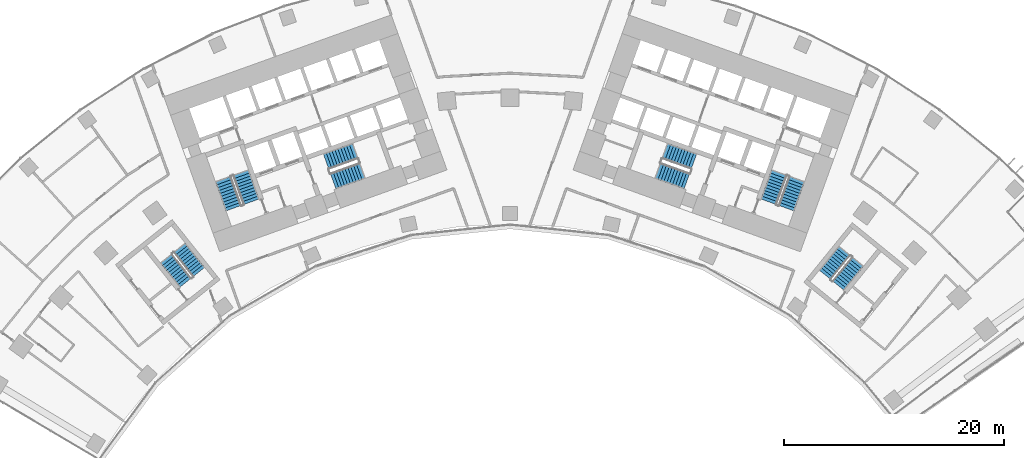
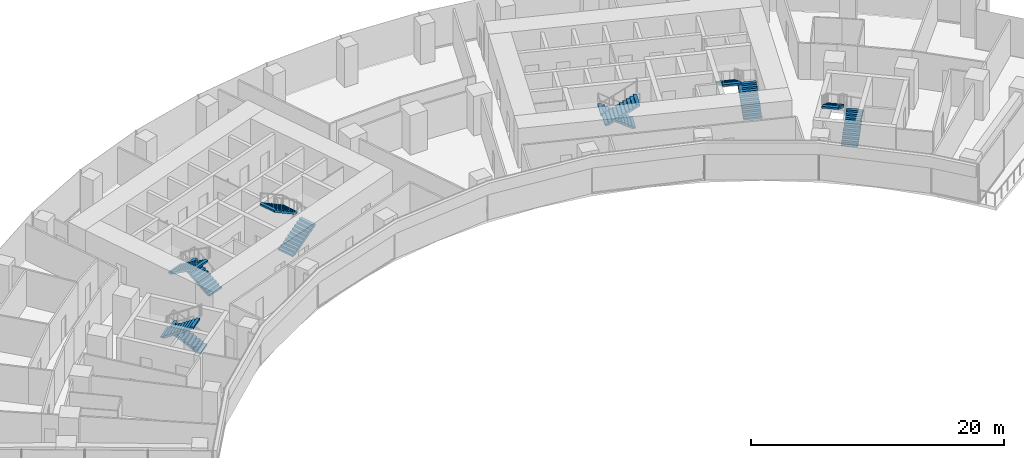
# One storey, part 19 of 21: 12 stair flights, 6 elements without a shape of their own.
"""IFC4 building model written with IfcOpenShell, lengths in metres."""

import ifcopenshell
import ifcopenshell.guid

model = None  # the IFC model being written
_history = None  # IfcOwnerHistory: only IFC2X3 demands one
_inside = {}  # id of a spatial element -> (the spatial element, [elements in it])
_under = {}  # id of a project, library or spatial element -> (it, [spatial elements below it])
_declared = {}  # id of a project -> (the project, [libraries it declares])
_typed = {}  # id of a type object -> (the type object, [elements of that type])
_made_of = {}  # id of a material, layer set ... -> (it, [elements and type objects made of it])


def new_model(schema):
    """Start an empty IFC model of exactly this schema.

    Asked for "IFC4X3", IfcOpenShell would pick the latest addendum, in which some entities
    have other attributes; the version numbers below select the first issue.
    IFC2X3 requires an IfcOwnerHistory on every rooted entity: one is made here for all.
    """
    global model, _history
    if schema == "IFC4X3":
        model = ifcopenshell.file(schema_version=(4, 3, 0, 0))
    else:
        model = ifcopenshell.file(schema=schema)
    _inside.clear()
    _under.clear()
    _declared.clear()
    _typed.clear()
    _made_of.clear()
    _history = None
    if model.schema == "IFC2X3":
        org = make("IfcOrganization", Name="unknown")
        user = make(
            "IfcPersonAndOrganization",
            ThePerson=make("IfcPerson", FamilyName="unknown"),
            TheOrganization=org,
        )
        app = make(
            "IfcApplication",
            ApplicationDeveloper=org,
            Version="unknown",
            ApplicationFullName="unknown",
            ApplicationIdentifier="unknown",
        )
        _history = make(
            "IfcOwnerHistory",
            OwningUser=user,
            OwningApplication=app,
            ChangeAction="ADDED",
            CreationDate=0,
        )
    return model


def make(cls, **values):
    """One entity of the class cls with the attributes given. An attribute that is None is left unset."""
    return model.create_entity(
        cls, **{name: value for name, value in values.items() if value is not None}
    )


def rooted(cls, **values):
    """An entity with a GlobalId (a new one), such as an element, a storey or a relation."""
    return make(cls, GlobalId=ifcopenshell.guid.new(), OwnerHistory=_history, **values)


def si_unit(unit_type, name, prefix=None):
    """IfcSIUnit, for example si_unit("LENGTHUNIT", "METRE", prefix="MILLI")."""
    return make("IfcSIUnit", UnitType=unit_type, Prefix=prefix, Name=name)


def assignment(units):
    """IfcUnitAssignment: the units of a project."""
    return None if units is None else make("IfcUnitAssignment", Units=units)


def point(xyz):
    """IfcCartesianPoint."""
    return None if xyz is None else make("IfcCartesianPoint", Coordinates=xyz)


def direction(xyz):
    """IfcDirection."""
    return None if xyz is None else make("IfcDirection", DirectionRatios=xyz)


def frame(location, z_axis=None, x_axis=None):
    """IfcAxis2Placement3D, a coordinate frame: its origin and axes. An axis left out is left unset."""
    return make(
        "IfcAxis2Placement3D",
        Location=point(location),
        Axis=direction(z_axis),
        RefDirection=direction(x_axis),
    )


def origin():
    """The frame at (0, 0, 0) with its axes left unset."""
    return frame((0.0, 0.0, 0.0))


def place(relative_to, where):
    """IfcLocalPlacement: puts the frame where relative to a parent placement (None: the world)."""
    return make(
        "IfcLocalPlacement", PlacementRelTo=relative_to, RelativePlacement=where
    )


def context(
    kind, dimensions, precision=None, world=None, true_north=None, identifier=None
):
    """IfcGeometricRepresentationContext, for example the 3D "Model" context."""
    return make(
        "IfcGeometricRepresentationContext",
        ContextIdentifier=identifier,
        ContextType=kind,
        CoordinateSpaceDimension=dimensions,
        Precision=precision,
        WorldCoordinateSystem=world,
        TrueNorth=true_north,
    )


def subcontext(parent, identifier, kind, view, scale=None):
    """IfcGeometricRepresentationSubContext, for example "Body" below "Model"."""
    return make(
        "IfcGeometricRepresentationSubContext",
        ContextIdentifier=identifier,
        ContextType=kind,
        ParentContext=parent,
        TargetScale=scale,
        TargetView=view,
    )


def project(units=None, contexts=None):
    """IfcProject with its units and contexts."""
    return rooted(
        "IfcProject",
        Name="project",
        RepresentationContexts=contexts,
        UnitsInContext=assignment(units),
    )


def spatial(cls, under=None, at=None, **own):
    """A site, building, storey or space (cls), placed at a placement, below another one or the project."""
    s = rooted(cls, ObjectPlacement=at, **own)
    if under is not None:
        _under.setdefault(under.id(), (under, []))[1].append(s)
    return s


def polyline(points):
    """IfcPolyline through the points."""
    return make("IfcPolyline", Points=[point(p) for p in points])


def outline(outer, holes=None, kind="AREA"):
    """IfcArbitraryClosedProfileDef: a profile drawn as a closed curve; with holes, ...WithVoids."""
    if holes is None:
        return make("IfcArbitraryClosedProfileDef", ProfileType=kind, OuterCurve=outer)
    return make(
        "IfcArbitraryProfileDefWithVoids",
        ProfileType=kind,
        OuterCurve=outer,
        InnerCurves=holes,
    )


def extrude(swept, where, along, depth):
    """IfcExtrudedAreaSolid: the profile swept, set in the frame where, extruded along a direction by depth."""
    return make(
        "IfcExtrudedAreaSolid",
        SweptArea=swept,
        Position=where,
        ExtrudedDirection=direction(along),
        Depth=depth,
    )


def shape(context_of_items, identifier, shape_type, items):
    """IfcShapeRepresentation: the items that make up one representation, for example the "Body"."""
    return make(
        "IfcShapeRepresentation",
        ContextOfItems=context_of_items,
        RepresentationIdentifier=identifier,
        RepresentationType=shape_type,
        Items=items,
    )


def material(Name=None, Category=None):
    """IfcMaterial."""
    return make("IfcMaterial", Name=Name, Category=Category)


def made_of(thing, what):
    """Note that an element or type object is made of a material, layer set ...; save() writes the relation."""
    if what is not None:
        _made_of.setdefault(what.id(), (what, []))[1].append(thing)
    return thing


def type_object(cls, material=None, **own):
    """A type object (cls), such as IfcWallType, which elements share."""
    return made_of(rooted(cls, **own), material)


def element(
    cls,
    number,
    at=None,
    inside=None,
    cuts=None,
    type_object=None,
    material=None,
    context=None,
    identifier="Body",
    shape_type=None,
    held_by="IfcProductDefinitionShape",
    body=None,
    shapes=None,
    **own,
):
    """One element of the class cls, such as IfcWall. Its Tag is "e" and its number.

    at: its placement. inside: the storey or other place that contains it. cuts: it is an
    opening in that element (IfcRelVoidsElement). A single representation is given by context,
    identifier, shape_type and body (its items); several are given by shapes. held_by: the class
    of the entity that holds the representations. save() writes the other relations.
    """
    e = rooted(cls, Tag="e%d" % number, ObjectPlacement=at, **own)
    if body is not None:
        shapes = [shape(context, identifier, shape_type, body)]
    if shapes is not None:
        e.Representation = make(held_by, Representations=shapes)
    if inside is not None:
        _inside.setdefault(inside.id(), (inside, []))[1].append(e)
    if cuts is not None:
        rooted(
            "IfcRelVoidsElement", RelatingBuildingElement=cuts, RelatedOpeningElement=e
        )
    if type_object is not None:
        _typed.setdefault(type_object.id(), (type_object, []))[1].append(e)
    return made_of(e, material)


def aggregate(whole, parts):
    """IfcRelAggregates: a whole, such as a stair, and the parts it consists of."""
    return rooted("IfcRelAggregates", RelatingObject=whole, RelatedObjects=parts)


def save(model, path):
    """Write the relations noted so far, then the file.

    IfcRelAggregates (storeys below a building ...), IfcRelContainedInSpatialStructure (elements
    in a storey), IfcRelDefinesByType, IfcRelAssociatesMaterial and IfcRelDeclares: one each for
    every whole, place, type object, material and project.
    """
    for whole, parts in _under.values():
        aggregate(whole, parts)
    for where, things in _inside.values():
        rooted(
            "IfcRelContainedInSpatialStructure",
            RelatedElements=things,
            RelatingStructure=where,
        )
    for kind, things in _typed.values():
        rooted("IfcRelDefinesByType", RelatedObjects=things, RelatingType=kind)
    for what, things in _made_of.values():
        rooted("IfcRelAssociatesMaterial", RelatedObjects=things, RelatingMaterial=what)
    for by, libraries in _declared.values():
        rooted("IfcRelDeclares", RelatingContext=by, RelatedDefinitions=libraries)
    model.write(path)


model = new_model("IFC4")

# Units and contexts
model_context = context("Model", 3, precision=1e-05, world=origin(), true_north=direction((0.0, 1.0)))
body_context = subcontext(model_context, "Body", "Model", "MODEL_VIEW")
ifc_project = project(units=[si_unit("LENGTHUNIT", "METRE"), si_unit("AREAUNIT", "SQUARE_METRE"), si_unit("VOLUMEUNIT", "CUBIC_METRE"), si_unit("PLANEANGLEUNIT", "RADIAN"), si_unit("MASSUNIT", "GRAM", prefix="KILO")], contexts=[model_context])

# Site, building, storey
site_placement = place(None, origin())
site = spatial("IfcSite", under=ifc_project, at=site_placement, CompositionType="ELEMENT")
building_placement = place(site_placement, origin())
building = spatial("IfcBuilding", under=site, at=building_placement, Name="Stone Belt Terrace Tower", CompositionType="ELEMENT")
storey_placement = place(building_placement, frame((0.0, 0.0, 68.0)))
storey = spatial("IfcBuildingStorey", under=building, at=storey_placement, Name="L16", CompositionType="ELEMENT", Elevation=68.0)

# Stair, stair flights
ifc_material = material(Name="Concrete B40", Category="concrete")
stair_type = type_object("IfcStairType", Name="Exit stair 1500", PredefinedType="HALF_TURN_STAIR", material=ifc_material)
stair_1_placement = place(storey_placement, origin())
stair_1 = element("IfcStair", 1, at=stair_1_placement, inside=storey, type_object=stair_type, Name="L16 Exit stair 1 core A", PredefinedType="HALF_TURN_STAIR")
stair_flight_type = type_object("IfcStairFlightType", Name="Stair flight 1500", PredefinedType="STRAIGHT", material=ifc_material)
stair_flight_1_placement = place(storey_placement, frame((-23.55322265625, 45.51318359375, 0.0), z_axis=(0.0, 0.0, 1.0), x_axis=(-0.338624396177, 0.940921632398, 0.0)))
stair_flight_1 = element("IfcStairFlight", 2, at=stair_flight_1_placement, type_object=stair_flight_type, Name="ST1A flight 1", NumberOfRisers=11, NumberOfTreads=10, PredefinedType="STRAIGHT", RiserHeight=0.172727273, TreadLength=0.28, context=body_context, shape_type="SweptSolid", body=[
    extrude(outline(polyline([(0.0, 0.0), (0.0, 0.172607421875), (0.280029296875, 0.172607421875), (0.280029296875, 0.345458984375), (0.56005859375, 0.345458984375), (0.56005859375, 0.51806640625), (0.840087890625, 0.51806640625), (0.840087890625, 0.69091796875), (1.1201171875, 0.69091796875), (1.1201171875, 0.863525390625), (1.39990234375, 0.863525390625), (1.39990234375, 1.036376953125), (1.679931640625, 1.036376953125), (1.679931640625, 1.208984375), (1.9599609375, 1.208984375), (1.9599609375, 1.3818359375), (2.239990234375, 1.3818359375), (2.239990234375, 1.554443359375), (2.52001953125, 1.554443359375), (2.52001953125, 1.727294921875), (2.800048828125, 1.727294921875), (2.800048828125, 1.89990234375), (2.800048828125, 1.551025390625), (0.285400390625, 0.0), (0.0, 0.0)])), frame((0.0, 0.75, 0.0), z_axis=(0.0, -1.0, 0.0), x_axis=(1.0, 0.0, 0.0)), (0.0, 0.0, 1.0), 1.5),
])
stair_flight_2_placement = place(storey_placement, frame((-26.10107421875, 47.572021484375, 1.89990234375), z_axis=(0.0, 0.0, 1.0), x_axis=(0.338624396177, -0.940921632398, 0.0)))
stair_flight_2 = element("IfcStairFlight", 3, at=stair_flight_2_placement, type_object=stair_flight_type, Name="ST1A flight 2", NumberOfRisers=11, NumberOfTreads=10, PredefinedType="STRAIGHT", RiserHeight=0.172727273, TreadLength=0.28, context=body_context, shape_type="SweptSolid", body=[
    extrude(outline(polyline([(0.0, 0.0), (0.0, 0.172607421875), (0.280029296875, 0.172607421875), (0.280029296875, 0.345458984375), (0.56005859375, 0.345458984375), (0.56005859375, 0.51806640625), (0.840087890625, 0.51806640625), (0.840087890625, 0.69091796875), (1.1201171875, 0.69091796875), (1.1201171875, 0.863525390625), (1.39990234375, 0.863525390625), (1.39990234375, 1.036376953125), (1.679931640625, 1.036376953125), (1.679931640625, 1.208984375), (1.9599609375, 1.208984375), (1.9599609375, 1.3818359375), (2.239990234375, 1.3818359375), (2.239990234375, 1.554443359375), (2.52001953125, 1.554443359375), (2.52001953125, 1.727294921875), (2.800048828125, 1.727294921875), (2.800048828125, 1.89990234375), (2.800048828125, 1.551025390625), (0.285400390625, 0.0), (0.0, 0.0)])), frame((0.0, 0.75, 0.0), z_axis=(0.0, -1.0, 0.0), x_axis=(1.0, 0.0, 0.0)), (0.0, 0.0, 1.0), 1.5),
])
aggregate(stair_1, [stair_flight_1, stair_flight_2])

stair_2_placement = place(storey_placement, origin())
stair_2 = element("IfcStair", 4, at=stair_2_placement, inside=storey, type_object=stair_type, Name="L16 Exit stair 2 core A", PredefinedType="HALF_TURN_STAIR")
stair_flight_3_placement = place(storey_placement, frame((-16.101318359375, 47.39794921875, 0.0), z_axis=(0.0, 0.0, 1.0), x_axis=(0.940921632398, 0.338624396177, 0.0)))
stair_flight_3 = element("IfcStairFlight", 5, at=stair_flight_3_placement, type_object=stair_flight_type, Name="ST2A flight 1", NumberOfRisers=11, NumberOfTreads=10, PredefinedType="STRAIGHT", RiserHeight=0.172727273, TreadLength=0.28, context=body_context, shape_type="SweptSolid", body=[
    extrude(outline(polyline([(0.0, 0.0), (0.0, 0.172607421875), (0.280029296875, 0.172607421875), (0.280029296875, 0.345458984375), (0.56005859375, 0.345458984375), (0.56005859375, 0.51806640625), (0.840087890625, 0.51806640625), (0.840087890625, 0.69091796875), (1.1201171875, 0.69091796875), (1.1201171875, 0.863525390625), (1.39990234375, 0.863525390625), (1.39990234375, 1.036376953125), (1.679931640625, 1.036376953125), (1.679931640625, 1.208984375), (1.9599609375, 1.208984375), (1.9599609375, 1.3818359375), (2.239990234375, 1.3818359375), (2.239990234375, 1.554443359375), (2.52001953125, 1.554443359375), (2.52001953125, 1.727294921875), (2.800048828125, 1.727294921875), (2.800048828125, 1.89990234375), (2.800048828125, 1.551025390625), (0.285400390625, 0.0), (0.0, 0.0)])), frame((0.0, 0.75, 0.0), z_axis=(0.0, -1.0, 0.0), x_axis=(1.0, 0.0, 0.0)), (0.0, 0.0, 1.0), 1.5),
])
stair_flight_4_placement = place(storey_placement, frame((-14.110107421875, 50.1337890625, 1.89990234375), z_axis=(0.0, 0.0, 1.0), x_axis=(-0.940921632398, -0.338624396177, 0.0)))
stair_flight_4 = element("IfcStairFlight", 6, at=stair_flight_4_placement, type_object=stair_flight_type, Name="ST2A flight 2", NumberOfRisers=11, NumberOfTreads=10, PredefinedType="STRAIGHT", RiserHeight=0.172727273, TreadLength=0.28, context=body_context, shape_type="SweptSolid", body=[
    extrude(outline(polyline([(0.0, 0.0), (0.0, 0.172607421875), (0.280029296875, 0.172607421875), (0.280029296875, 0.345458984375), (0.56005859375, 0.345458984375), (0.56005859375, 0.51806640625), (0.840087890625, 0.51806640625), (0.840087890625, 0.69091796875), (1.1201171875, 0.69091796875), (1.1201171875, 0.863525390625), (1.39990234375, 0.863525390625), (1.39990234375, 1.036376953125), (1.679931640625, 1.036376953125), (1.679931640625, 1.208984375), (1.9599609375, 1.208984375), (1.9599609375, 1.3818359375), (2.239990234375, 1.3818359375), (2.239990234375, 1.554443359375), (2.52001953125, 1.554443359375), (2.52001953125, 1.727294921875), (2.800048828125, 1.727294921875), (2.800048828125, 1.89990234375), (2.800048828125, 1.551025390625), (0.285400390625, 0.0), (0.0, 0.0)])), frame((0.0, 0.75, 0.0), z_axis=(0.0, -1.0, 0.0), x_axis=(1.0, 0.0, 0.0)), (0.0, 0.0, 1.0), 1.5),
])
aggregate(stair_2, [stair_flight_3, stair_flight_4])

stair_3_placement = place(storey_placement, origin())
stair_3 = element("IfcStair", 7, at=stair_3_placement, inside=storey, type_object=stair_type, Name="L16 Exit stair 1 core B", PredefinedType="HALF_TURN_STAIR")
stair_flight_5_placement = place(storey_placement, frame((25.15283203125, 44.9375, 0.0), z_axis=(0.0, 0.0, 1.0), x_axis=(0.338624396177, 0.940921632398, 0.0)))
stair_flight_5 = element("IfcStairFlight", 8, at=stair_flight_5_placement, type_object=stair_flight_type, Name="ST1B flight 1", NumberOfRisers=11, NumberOfTreads=10, PredefinedType="STRAIGHT", RiserHeight=0.172727273, TreadLength=0.28, context=body_context, shape_type="SweptSolid", body=[
    extrude(outline(polyline([(0.0, 0.0), (0.0, 0.172607421875), (0.280029296875, 0.172607421875), (0.280029296875, 0.345458984375), (0.56005859375, 0.345458984375), (0.56005859375, 0.51806640625), (0.840087890625, 0.51806640625), (0.840087890625, 0.69091796875), (1.1201171875, 0.69091796875), (1.1201171875, 0.863525390625), (1.39990234375, 0.863525390625), (1.39990234375, 1.036376953125), (1.679931640625, 1.036376953125), (1.679931640625, 1.208984375), (1.9599609375, 1.208984375), (1.9599609375, 1.3818359375), (2.239990234375, 1.3818359375), (2.239990234375, 1.554443359375), (2.52001953125, 1.554443359375), (2.52001953125, 1.727294921875), (2.800048828125, 1.727294921875), (2.800048828125, 1.89990234375), (2.800048828125, 1.551025390625), (0.285400390625, 0.0), (0.0, 0.0)])), frame((0.0, 0.75, 0.0), z_axis=(0.0, -1.0, 0.0), x_axis=(1.0, 0.0, 0.0)), (0.0, 0.0, 1.0), 1.5),
])
stair_flight_6_placement = place(storey_placement, frame((24.50146484375, 48.147705078125, 1.89990234375), z_axis=(0.0, 0.0, 1.0), x_axis=(-0.338624396177, -0.940921632398, 0.0)))
stair_flight_6 = element("IfcStairFlight", 9, at=stair_flight_6_placement, type_object=stair_flight_type, Name="ST1B flight 2", NumberOfRisers=11, NumberOfTreads=10, PredefinedType="STRAIGHT", RiserHeight=0.172727273, TreadLength=0.28, context=body_context, shape_type="SweptSolid", body=[
    extrude(outline(polyline([(0.0, 0.0), (0.0, 0.172607421875), (0.280029296875, 0.172607421875), (0.280029296875, 0.345458984375), (0.56005859375, 0.345458984375), (0.56005859375, 0.51806640625), (0.840087890625, 0.51806640625), (0.840087890625, 0.69091796875), (1.1201171875, 0.69091796875), (1.1201171875, 0.863525390625), (1.39990234375, 0.863525390625), (1.39990234375, 1.036376953125), (1.679931640625, 1.036376953125), (1.679931640625, 1.208984375), (1.9599609375, 1.208984375), (1.9599609375, 1.3818359375), (2.239990234375, 1.3818359375), (2.239990234375, 1.554443359375), (2.52001953125, 1.554443359375), (2.52001953125, 1.727294921875), (2.800048828125, 1.727294921875), (2.800048828125, 1.89990234375), (2.800048828125, 1.551025390625), (0.285400390625, 0.0), (0.0, 0.0)])), frame((0.0, 0.75, 0.0), z_axis=(0.0, -1.0, 0.0), x_axis=(1.0, 0.0, 0.0)), (0.0, 0.0, 1.0), 1.5),
])
aggregate(stair_3, [stair_flight_5, stair_flight_6])

stair_4_placement = place(storey_placement, origin())
stair_4 = element("IfcStair", 10, at=stair_4_placement, inside=storey, type_object=stair_type, Name="L16 Exit stair 2 core B", PredefinedType="HALF_TURN_STAIR")
stair_flight_7_placement = place(storey_placement, frame((16.74462890625, 49.185546875, 0.0), z_axis=(0.0, 0.0, 1.0), x_axis=(-0.940921632398, 0.338624396177, 0.0)))
stair_flight_7 = element("IfcStairFlight", 11, at=stair_flight_7_placement, type_object=stair_flight_type, Name="ST2B flight 1", NumberOfRisers=11, NumberOfTreads=10, PredefinedType="STRAIGHT", RiserHeight=0.172727273, TreadLength=0.28, context=body_context, shape_type="SweptSolid", body=[
    extrude(outline(polyline([(0.0, 0.0), (0.0, 0.172607421875), (0.280029296875, 0.172607421875), (0.280029296875, 0.345458984375), (0.56005859375, 0.345458984375), (0.56005859375, 0.51806640625), (0.840087890625, 0.51806640625), (0.840087890625, 0.69091796875), (1.1201171875, 0.69091796875), (1.1201171875, 0.863525390625), (1.39990234375, 0.863525390625), (1.39990234375, 1.036376953125), (1.679931640625, 1.036376953125), (1.679931640625, 1.208984375), (1.9599609375, 1.208984375), (1.9599609375, 1.3818359375), (2.239990234375, 1.3818359375), (2.239990234375, 1.554443359375), (2.52001953125, 1.554443359375), (2.52001953125, 1.727294921875), (2.800048828125, 1.727294921875), (2.800048828125, 1.89990234375), (2.800048828125, 1.551025390625), (0.285400390625, 0.0), (0.0, 0.0)])), frame((0.0, 0.75, 0.0), z_axis=(0.0, -1.0, 0.0), x_axis=(1.0, 0.0, 0.0)), (0.0, 0.0, 1.0), 1.5),
])
stair_flight_8_placement = place(storey_placement, frame((13.466796875, 48.345947265625, 1.89990234375), z_axis=(0.0, 0.0, 1.0), x_axis=(0.940921632398, -0.338624396177, 0.0)))
stair_flight_8 = element("IfcStairFlight", 12, at=stair_flight_8_placement, type_object=stair_flight_type, Name="ST2B flight 2", NumberOfRisers=11, NumberOfTreads=10, PredefinedType="STRAIGHT", RiserHeight=0.172727273, TreadLength=0.28, context=body_context, shape_type="SweptSolid", body=[
    extrude(outline(polyline([(0.0, 0.0), (0.0, 0.172607421875), (0.280029296875, 0.172607421875), (0.280029296875, 0.345458984375), (0.56005859375, 0.345458984375), (0.56005859375, 0.51806640625), (0.840087890625, 0.51806640625), (0.840087890625, 0.69091796875), (1.1201171875, 0.69091796875), (1.1201171875, 0.863525390625), (1.39990234375, 0.863525390625), (1.39990234375, 1.036376953125), (1.679931640625, 1.036376953125), (1.679931640625, 1.208984375), (1.9599609375, 1.208984375), (1.9599609375, 1.3818359375), (2.239990234375, 1.3818359375), (2.239990234375, 1.554443359375), (2.52001953125, 1.554443359375), (2.52001953125, 1.727294921875), (2.800048828125, 1.727294921875), (2.800048828125, 1.89990234375), (2.800048828125, 1.551025390625), (0.285400390625, 0.0), (0.0, 0.0)])), frame((0.0, 0.75, 0.0), z_axis=(0.0, -1.0, 0.0), x_axis=(1.0, 0.0, 0.0)), (0.0, 0.0, 1.0), 1.5),
])
aggregate(stair_4, [stair_flight_7, stair_flight_8])

stair_5_placement = place(storey_placement, origin())
stair_5 = element("IfcStair", 13, at=stair_5_placement, inside=storey, type_object=stair_type, Name="L16 Exit stair 3A", PredefinedType="HALF_TURN_STAIR")
stair_flight_9_placement = place(storey_placement, frame((-28.325439453125, 39.1240234375, 0.0), z_axis=(0.0, 0.0, 1.0), x_axis=(-0.623121363691, 0.782125160132, 0.0)))
stair_flight_9 = element("IfcStairFlight", 14, at=stair_flight_9_placement, type_object=stair_flight_type, Name="ST3A flight 1", NumberOfRisers=11, NumberOfTreads=10, PredefinedType="STRAIGHT", RiserHeight=0.172727273, TreadLength=0.28, context=body_context, shape_type="SweptSolid", body=[
    extrude(outline(polyline([(0.0, 0.0), (0.0, 0.172607421875), (0.280029296875, 0.172607421875), (0.280029296875, 0.345458984375), (0.56005859375, 0.345458984375), (0.56005859375, 0.51806640625), (0.840087890625, 0.51806640625), (0.840087890625, 0.69091796875), (1.1201171875, 0.69091796875), (1.1201171875, 0.863525390625), (1.39990234375, 0.863525390625), (1.39990234375, 1.036376953125), (1.679931640625, 1.036376953125), (1.679931640625, 1.208984375), (1.9599609375, 1.208984375), (1.9599609375, 1.3818359375), (2.239990234375, 1.3818359375), (2.239990234375, 1.554443359375), (2.52001953125, 1.554443359375), (2.52001953125, 1.727294921875), (2.800048828125, 1.727294921875), (2.800048828125, 1.89990234375), (2.800048828125, 1.551025390625), (0.285400390625, 0.0), (0.0, 0.0)])), frame((0.0, 0.675048828125, 0.0), z_axis=(0.0, -1.0, 0.0), x_axis=(1.0, 0.0, 0.0)), (0.0, 0.0, 1.0), 1.35009765625),
])
stair_flight_10_placement = place(storey_placement, frame((-31.282470703125, 40.34814453125, 1.89990234375), z_axis=(0.0, 0.0, 1.0), x_axis=(0.623121363691, -0.782125160132, 0.0)))
stair_flight_10 = element("IfcStairFlight", 15, at=stair_flight_10_placement, type_object=stair_flight_type, Name="ST3A flight 2", NumberOfRisers=11, NumberOfTreads=10, PredefinedType="STRAIGHT", RiserHeight=0.172727273, TreadLength=0.28, context=body_context, shape_type="SweptSolid", body=[
    extrude(outline(polyline([(0.0, 0.0), (0.0, 0.172607421875), (0.280029296875, 0.172607421875), (0.280029296875, 0.345458984375), (0.56005859375, 0.345458984375), (0.56005859375, 0.51806640625), (0.840087890625, 0.51806640625), (0.840087890625, 0.69091796875), (1.1201171875, 0.69091796875), (1.1201171875, 0.863525390625), (1.39990234375, 0.863525390625), (1.39990234375, 1.036376953125), (1.679931640625, 1.036376953125), (1.679931640625, 1.208984375), (1.9599609375, 1.208984375), (1.9599609375, 1.3818359375), (2.239990234375, 1.3818359375), (2.239990234375, 1.554443359375), (2.52001953125, 1.554443359375), (2.52001953125, 1.727294921875), (2.800048828125, 1.727294921875), (2.800048828125, 1.89990234375), (2.800048828125, 1.551025390625), (0.285400390625, 0.0), (0.0, 0.0)])), frame((0.0, 0.675048828125, 0.0), z_axis=(0.0, -1.0, 0.0), x_axis=(1.0, 0.0, 0.0)), (0.0, 0.0, 1.0), 1.35009765625),
])
aggregate(stair_5, [stair_flight_9, stair_flight_10])

stair_6_placement = place(storey_placement, origin())
stair_6 = element("IfcStair", 16, at=stair_6_placement, inside=storey, type_object=stair_type, Name="L16 Exit stair 3B", PredefinedType="HALF_TURN_STAIR")
stair_flight_11_placement = place(storey_placement, frame((29.88330078125, 37.887939453125, 0.0), z_axis=(0.0, 0.0, 1.0), x_axis=(0.630205749599, 0.776428176441, 0.0)))
stair_flight_11 = element("IfcStairFlight", 17, at=stair_flight_11_placement, type_object=stair_flight_type, Name="ST3B flight 1", NumberOfRisers=11, NumberOfTreads=10, PredefinedType="STRAIGHT", RiserHeight=0.172727273, TreadLength=0.28, context=body_context, shape_type="SweptSolid", body=[
    extrude(outline(polyline([(0.0, 0.0), (0.0, 0.172607421875), (0.280029296875, 0.172607421875), (0.280029296875, 0.345458984375), (0.56005859375, 0.345458984375), (0.56005859375, 0.51806640625), (0.840087890625, 0.51806640625), (0.840087890625, 0.69091796875), (1.1201171875, 0.69091796875), (1.1201171875, 0.863525390625), (1.39990234375, 0.863525390625), (1.39990234375, 1.036376953125), (1.679931640625, 1.036376953125), (1.679931640625, 1.208984375), (1.9599609375, 1.208984375), (1.9599609375, 1.3818359375), (2.239990234375, 1.3818359375), (2.239990234375, 1.554443359375), (2.52001953125, 1.554443359375), (2.52001953125, 1.727294921875), (2.800048828125, 1.727294921875), (2.800048828125, 1.89990234375), (2.800048828125, 1.551025390625), (0.285400390625, 0.0), (0.0, 0.0)])), frame((0.0, 0.675048828125, 0.0), z_axis=(0.0, -1.0, 0.0), x_axis=(1.0, 0.0, 0.0)), (0.0, 0.0, 1.0), 1.35009765625),
])
stair_flight_12_placement = place(storey_placement, frame((30.4443359375, 41.038818359375, 1.89990234375), z_axis=(0.0, 0.0, 1.0), x_axis=(-0.630205749599, -0.776428176441, 0.0)))
stair_flight_12 = element("IfcStairFlight", 18, at=stair_flight_12_placement, type_object=stair_flight_type, Name="ST3B flight 2", NumberOfRisers=11, NumberOfTreads=10, PredefinedType="STRAIGHT", RiserHeight=0.172727273, TreadLength=0.28, context=body_context, shape_type="SweptSolid", body=[
    extrude(outline(polyline([(0.0, 0.0), (0.0, 0.172607421875), (0.280029296875, 0.172607421875), (0.280029296875, 0.345458984375), (0.56005859375, 0.345458984375), (0.56005859375, 0.51806640625), (0.840087890625, 0.51806640625), (0.840087890625, 0.69091796875), (1.1201171875, 0.69091796875), (1.1201171875, 0.863525390625), (1.39990234375, 0.863525390625), (1.39990234375, 1.036376953125), (1.679931640625, 1.036376953125), (1.679931640625, 1.208984375), (1.9599609375, 1.208984375), (1.9599609375, 1.3818359375), (2.239990234375, 1.3818359375), (2.239990234375, 1.554443359375), (2.52001953125, 1.554443359375), (2.52001953125, 1.727294921875), (2.800048828125, 1.727294921875), (2.800048828125, 1.89990234375), (2.800048828125, 1.551025390625), (0.285400390625, 0.0), (0.0, 0.0)])), frame((0.0, 0.675048828125, 0.0), z_axis=(0.0, -1.0, 0.0), x_axis=(1.0, 0.0, 0.0)), (0.0, 0.0, 1.0), 1.35009765625),
])
aggregate(stair_6, [stair_flight_11, stair_flight_12])

save(model, "model.ifc")
